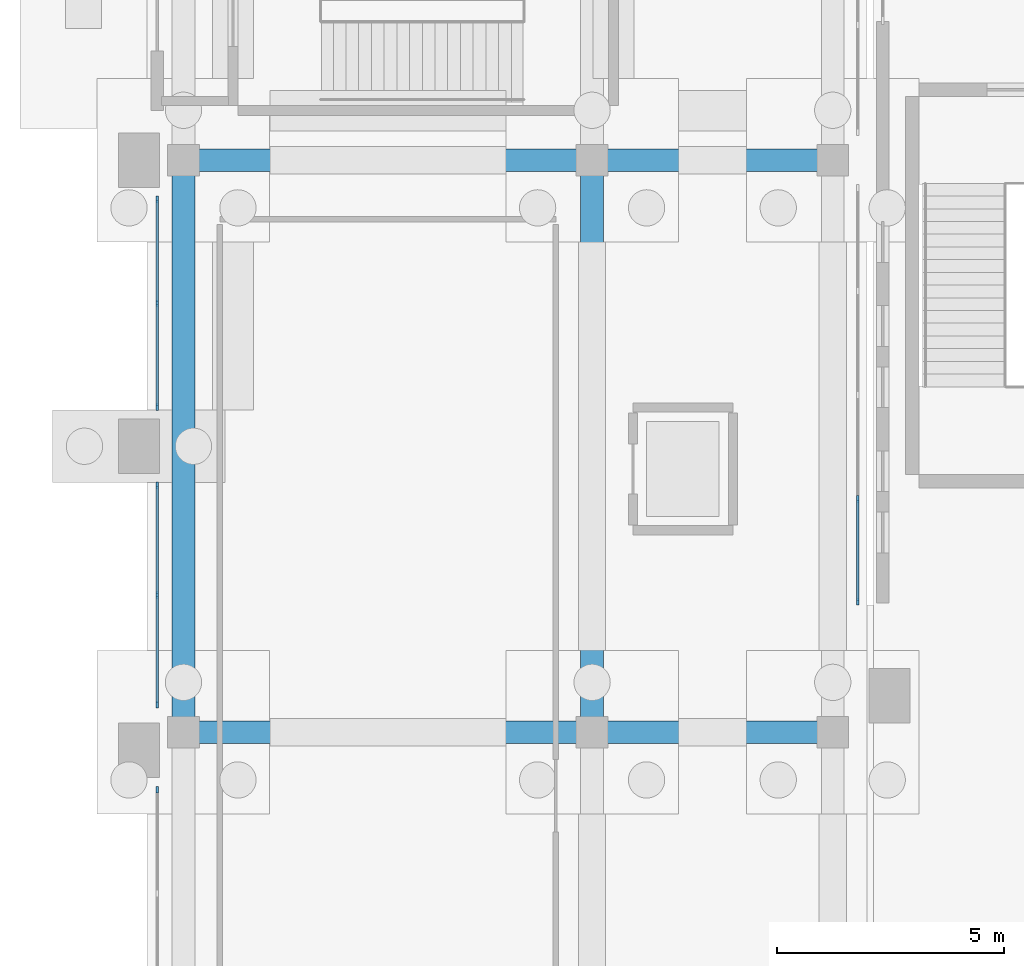
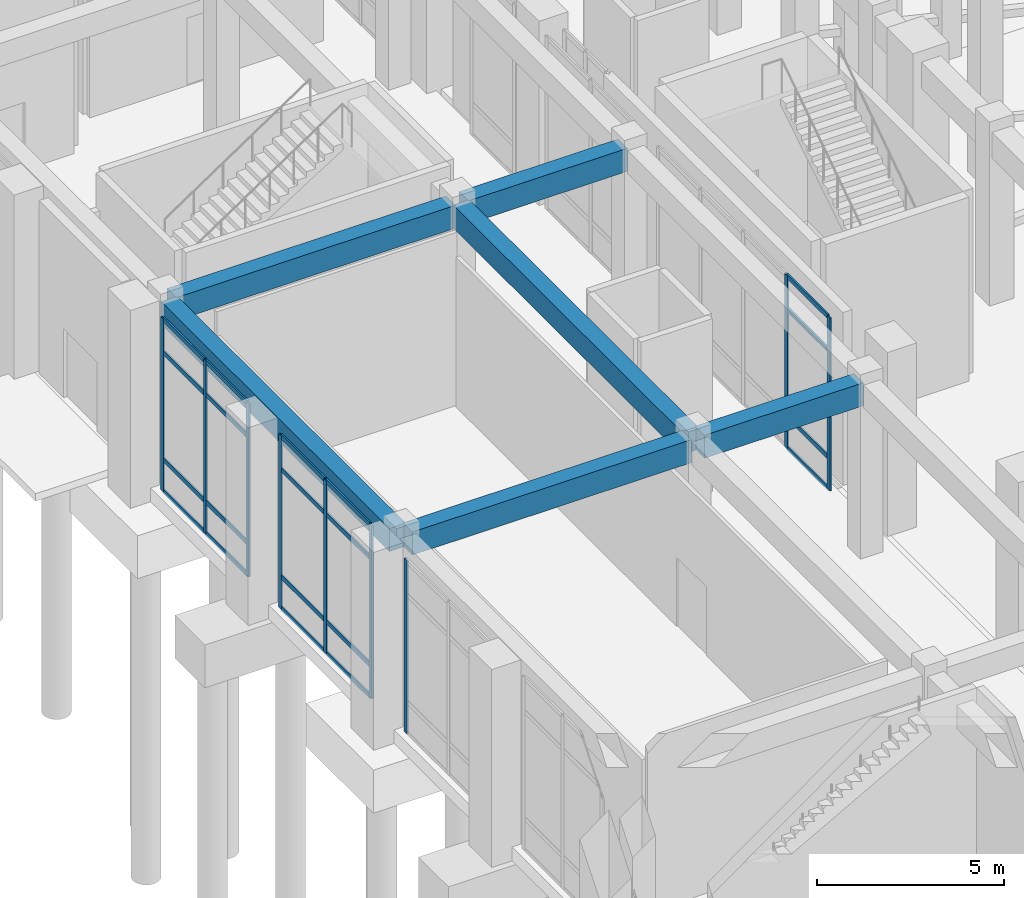
# One storey, part 29 of 143: 29 members, 6 beams, 4 elements without a shape of their own.
"""IFC4 building model written with IfcOpenShell, lengths in metres."""

from ifc_helpers import new_model, si_unit, derived_unit, direction, frame, origin, origin_2d, place, context, subcontext, project, spatial, rectangle, extrude, material, layer, layer_set, material_profile, profile_set, type_object, element, aggregate, save


model = new_model("IFC4")

# Units and contexts
model_context = context("Model", 3, precision=1e-05, world=origin(), true_north=direction((0.0, 1.0)))
body_context = subcontext(model_context, "Body", "Model", "MODEL_VIEW")
ifc_project = project(units=[si_unit("LENGTHUNIT", "METRE"), si_unit("AREAUNIT", "SQUARE_METRE"), si_unit("VOLUMEUNIT", "CUBIC_METRE"), si_unit("PLANEANGLEUNIT", "RADIAN"), si_unit("MASSUNIT", "GRAM", prefix="KILO"), derived_unit("THERMALTRANSMITTANCEUNIT", [(si_unit("MASSUNIT", "GRAM", prefix="KILO"), 1), (si_unit("TIMEUNIT", "SECOND"), -3), (si_unit("THERMODYNAMICTEMPERATUREUNIT", "KELVIN"), -1)])], contexts=[model_context])

# Site, building, storey
site_placement = place(None, origin())
site = spatial("IfcSite", under=ifc_project, at=site_placement, CompositionType="ELEMENT")
building_placement = place(site_placement, origin())
building = spatial("IfcBuilding", under=site, at=building_placement, Name="Valcora Ridge Arena", CompositionType="ELEMENT")
storey_placement = place(building_placement, origin())
storey = spatial("IfcBuildingStorey", under=building, at=storey_placement, Name="L00", CompositionType="ELEMENT", Elevation=0.0)

# Beams
ifc_material_1 = material(Name="Concrete C40/50", Category="concrete")
ifc_material_profile_1 = material_profile(ifc_material_1, rectangle(XDim=0.5, YDim=0.75, at=origin_2d()), Name="RC 500x750")
ifc_profile_set_1 = profile_set([ifc_material_profile_1], Name="Concrete C40/50")
beam_type_1 = type_object("IfcBeamType", Name="TY-BEAM-B-RC500-X", PredefinedType="BEAM", material=ifc_profile_set_1)
beam_1_placement = place(storey_placement, frame((1.0, 45.199951171875, 5.264892578125), z_axis=(1.0, 0.0, 0.0), x_axis=(0.0, 1.0, 0.0)))
element("IfcBeam", 1, at=beam_1_placement, inside=storey, type_object=beam_type_1, Name="B-RC500-X BEM-B-RC500-X-0019", PredefinedType="BEAM", context=body_context, shape_type="SweptSolid", body=[
    extrude(rectangle(XDim=0.5, YDim=0.75, at=origin_2d()), origin(), (0.0, 0.0, 1.0), 8.60009765625),
])
beam_2_placement = place(storey_placement, frame((10.0, 45.199951171875, 5.264892578125), z_axis=(1.0, 0.0, 0.0), x_axis=(0.0, 1.0, 0.0)))
element("IfcBeam", 2, at=beam_2_placement, inside=storey, type_object=beam_type_1, Name="B-RC500-X BEM-B-RC500-X-0020", PredefinedType="BEAM", context=body_context, shape_type="SweptSolid", body=[
    extrude(rectangle(XDim=0.5, YDim=0.75, at=origin_2d()), origin(), (0.0, 0.0, 1.0), 4.89990234375),
])
beam_3_placement = place(storey_placement, frame((1.0, 57.800048828125, 5.264892578125), z_axis=(1.0, 0.0, 0.0), x_axis=(0.0, 1.0, 0.0)))
element("IfcBeam", 3, at=beam_3_placement, inside=storey, type_object=beam_type_1, Name="B-RC500-X BEM-B-RC500-X-0021", PredefinedType="BEAM", context=body_context, shape_type="SweptSolid", body=[
    extrude(rectangle(XDim=0.5, YDim=0.75, at=origin_2d()), origin(), (0.0, 0.0, 1.0), 8.60009765625),
])
beam_4_placement = place(storey_placement, frame((10.0, 57.800048828125, 5.264892578125), z_axis=(1.0, 0.0, 0.0), x_axis=(0.0, 1.0, 0.0)))
element("IfcBeam", 4, at=beam_4_placement, inside=storey, type_object=beam_type_1, Name="B-RC500-X BEM-B-RC500-X-0022", PredefinedType="BEAM", context=body_context, shape_type="SweptSolid", body=[
    extrude(rectangle(XDim=0.5, YDim=0.75, at=origin_2d()), origin(), (0.0, 0.0, 1.0), 4.89990234375),
])
ifc_material_profile_2 = material_profile(ifc_material_1, rectangle(XDim=0.5, YDim=0.75, at=origin_2d()), Name="RC 500x750")
ifc_profile_set_2 = profile_set([ifc_material_profile_2], Name="Concrete C40/50")
beam_type_2 = type_object("IfcBeamType", Name="TY-BEAM-B-RC500-Y", PredefinedType="BEAM", material=ifc_profile_set_2)
for number, where, z_axis, x_axis, name in (
    (5, (0.800048828125, 45.39990234375, 5.264892578125), (0.0, 1.0, 0.0), (-1.0, 0.0, 0.0), "B-RC500-Y BEM-B-RC500-Y-0005"),
    (6, (9.800048828125, 45.39990234375, 5.264892578125), (0.0, 1.0, 0.0), (-1.0, 0.0, 0.0), "B-RC500-Y BEM-B-RC500-Y-0013"),
):
    element("IfcBeam", number, at=place(storey_placement, frame(where, z_axis=z_axis, x_axis=x_axis)), inside=storey, type_object=beam_type_2, Name=name, PredefinedType="BEAM", context=body_context, shape_type="SweptSolid", body=[
        extrude(rectangle(XDim=0.5, YDim=0.75, at=origin_2d()), origin(), (0.0, 0.0, 1.0), 12.2001953125),
    ])

# Curtain wall, member
ifc_material_2 = material(Name="Anodised dark bronze architectural aluminium 6063-T6", Category="aluminium")
ifc_layer_1 = layer(ifc_material_2, 0.14990234375, Name="Anodised dark bronze architectural aluminium 6063-T6")
ifc_layer_set_1 = layer_set([ifc_layer_1], Name="Anodised dark bronze architectural aluminium 6063-T6")
curtain_wall_type_1 = type_object("IfcCurtainWallType", Name="TY-CURTAINWALL-CW-V4-CLUB-046X56", PredefinedType="NOTDEFINED", material=ifc_layer_set_1)
curtain_wall_1_placement = place(storey_placement, origin())
curtain_wall_1 = element("IfcCurtainWall", 7, at=curtain_wall_1_placement, inside=storey, type_object=curtain_wall_type_1, Name="CW-V4-CLUB-046X56 CW-0193", PredefinedType="NOTDEFINED")
ifc_material_profile_3 = material_profile(ifc_material_2, rectangle(XDim=0.050048828125, YDim=0.14990234375, at=origin_2d()), Name="ALU MULLION 50x150")
ifc_profile_set_3 = profile_set([ifc_material_profile_3], Name="Anodised dark bronze architectural aluminium 6063-T6")
member_type_1 = type_object("IfcMemberType", Name="TY-MEM-CWM-50x150", PredefinedType="MULLION", material=ifc_profile_set_3)
member_1_placement = place(storey_placement, frame((0.219970703125, 43.93505859375, 0.0), z_axis=(0.0, 0.0, 1.0), x_axis=(-1.0, 0.0, 0.0)))
member_1 = element("IfcMember", 8, at=member_1_placement, type_object=member_type_1, Name="CW-0193/CWM-50x150/M02", PredefinedType="MULLION", context=body_context, shape_type="SweptSolid", body=[
    extrude(rectangle(XDim=0.050048828125, YDim=0.14990234375, at=origin_2d()), origin(), (0.0, 0.0, 1.0), 5.639892578125),
])
aggregate(curtain_wall_1, [member_1])

# Curtain wall, members
ifc_layer_2 = layer(ifc_material_2, 0.14990234375, Name="Anodised dark bronze architectural aluminium 6063-T6")
ifc_layer_set_2 = layer_set([ifc_layer_2], Name="Anodised dark bronze architectural aluminium 6063-T6")
curtain_wall_type_2 = type_object("IfcCurtainWallType", Name="TY-CURTAINWALL-CW-V4-CLUB-049X56", PredefinedType="NOTDEFINED", material=ifc_layer_set_2)
curtain_wall_2_placement = place(storey_placement, origin())
curtain_wall_2 = element("IfcCurtainWall", 9, at=curtain_wall_2_placement, inside=storey, type_object=curtain_wall_type_2, Name="CW-V4-CLUB-049X56 CW-0194", PredefinedType="NOTDEFINED")
member_2_placement = place(storey_placement, frame((0.219970703125, 45.81494140625, 0.0), z_axis=(0.0, 0.0, 1.0), x_axis=(-1.0, 0.0, 0.0)))
member_2 = element("IfcMember", 10, at=member_2_placement, type_object=member_type_1, Name="CW-0194/CWM-50x150/M00", PredefinedType="MULLION", context=body_context, shape_type="SweptSolid", body=[
    extrude(rectangle(XDim=0.050048828125, YDim=0.14990234375, at=origin_2d()), origin(), (0.0, 0.0, 1.0), 5.639892578125),
])
member_3_placement = place(storey_placement, frame((0.219970703125, 48.22509765625, 0.0), z_axis=(0.0, 0.0, 1.0), x_axis=(-1.0, 0.0, 0.0)))
member_3 = element("IfcMember", 11, at=member_3_placement, type_object=member_type_1, Name="CW-0194/CWM-50x150/M01", PredefinedType="MULLION", context=body_context, shape_type="SweptSolid", body=[
    extrude(rectangle(XDim=0.050048828125, YDim=0.14990234375, at=origin_2d()), origin(), (0.0, 0.0, 1.0), 5.639892578125),
])
member_4_placement = place(storey_placement, frame((0.219970703125, 50.635009765625, 0.0), z_axis=(0.0, 0.0, 1.0), x_axis=(-1.0, 0.0, 0.0)))
member_4 = element("IfcMember", 12, at=member_4_placement, type_object=member_type_1, Name="CW-0194/CWM-50x150/M02", PredefinedType="MULLION", context=body_context, shape_type="SweptSolid", body=[
    extrude(rectangle(XDim=0.050048828125, YDim=0.14990234375, at=origin_2d()), origin(), (0.0, 0.0, 1.0), 5.639892578125),
])

curtain_wall_3_placement = place(storey_placement, origin())
curtain_wall_3 = element("IfcCurtainWall", 13, at=curtain_wall_3_placement, inside=storey, type_object=curtain_wall_type_1, Name="CW-V4-CLUB-046X56 CW-0195", PredefinedType="NOTDEFINED")
member_5_placement = place(storey_placement, frame((0.219970703125, 52.364990234375, 0.0), z_axis=(0.0, 0.0, 1.0), x_axis=(-1.0, 0.0, 0.0)))
member_5 = element("IfcMember", 14, at=member_5_placement, type_object=member_type_1, Name="CW-0195/CWM-50x150/M00", PredefinedType="MULLION", context=body_context, shape_type="SweptSolid", body=[
    extrude(rectangle(XDim=0.050048828125, YDim=0.14990234375, at=origin_2d()), origin(), (0.0, 0.0, 1.0), 5.639892578125),
])
member_6_placement = place(storey_placement, frame((0.219970703125, 54.64990234375, 0.0), z_axis=(0.0, 0.0, 1.0), x_axis=(-1.0, 0.0, 0.0)))
member_6 = element("IfcMember", 15, at=member_6_placement, type_object=member_type_1, Name="CW-0195/CWM-50x150/M01", PredefinedType="MULLION", context=body_context, shape_type="SweptSolid", body=[
    extrude(rectangle(XDim=0.050048828125, YDim=0.14990234375, at=origin_2d()), origin(), (0.0, 0.0, 1.0), 5.639892578125),
])
member_7_placement = place(storey_placement, frame((0.219970703125, 56.93505859375, 0.0), z_axis=(0.0, 0.0, 1.0), x_axis=(-1.0, 0.0, 0.0)))
member_7 = element("IfcMember", 16, at=member_7_placement, type_object=member_type_1, Name="CW-0195/CWM-50x150/M02", PredefinedType="MULLION", context=body_context, shape_type="SweptSolid", body=[
    extrude(rectangle(XDim=0.050048828125, YDim=0.14990234375, at=origin_2d()), origin(), (0.0, 0.0, 1.0), 5.639892578125),
])

ifc_layer_3 = layer(ifc_material_2, 0.14990234375, Name="Anodised dark bronze architectural aluminium 6063-T6")
ifc_layer_set_3 = layer_set([ifc_layer_3], Name="Anodised dark bronze architectural aluminium 6063-T6")
curtain_wall_type_3 = type_object("IfcCurtainWallType", Name="TY-CURTAINWALL-CW-V4-CLUB-092X56", PredefinedType="NOTDEFINED", material=ifc_layer_set_3)
curtain_wall_4_placement = place(storey_placement, origin())
curtain_wall_4 = element("IfcCurtainWall", 17, at=curtain_wall_4_placement, inside=storey, type_object=curtain_wall_type_3, Name="CW-V4-CLUB-092X56 CW-0197", PredefinedType="NOTDEFINED")
member_8_placement = place(storey_placement, frame((15.64990234375, 48.074951171875, 0.0), z_axis=(0.0, 0.0, 1.0), x_axis=(-1.0, 0.0, 0.0)))
member_8 = element("IfcMember", 18, at=member_8_placement, type_object=member_type_1, Name="CW-0197/CWM-50x150/M00", PredefinedType="MULLION", context=body_context, shape_type="SweptSolid", body=[
    extrude(rectangle(XDim=0.050048828125, YDim=0.14990234375, at=origin_2d()), origin(), (0.0, 0.0, 1.0), 5.639892578125),
])
member_9_placement = place(storey_placement, frame((15.64990234375, 50.340087890625, 0.0), z_axis=(0.0, 0.0, 1.0), x_axis=(-1.0, 0.0, 0.0)))
member_9 = element("IfcMember", 19, at=member_9_placement, type_object=member_type_1, Name="CW-0197/CWM-50x150/M01", PredefinedType="MULLION", context=body_context, shape_type="SweptSolid", body=[
    extrude(rectangle(XDim=0.050048828125, YDim=0.14990234375, at=origin_2d()), origin(), (0.0, 0.0, 1.0), 5.639892578125),
])

# Member
ifc_material_profile_4 = material_profile(ifc_material_2, rectangle(XDim=0.050048828125, YDim=0.14990234375, at=origin_2d()), Name="ALU TRANSOM 50x150")
ifc_profile_set_4 = profile_set([ifc_material_profile_4], Name="Anodised dark bronze architectural aluminium 6063-T6")
member_type_2 = type_object("IfcMemberType", Name="TY-MEM-CWT-50x150", PredefinedType="USERDEFINED", material=ifc_profile_set_4)
member_10_placement = place(storey_placement, frame((0.219970703125, 45.840087890625, 0.02490234375), z_axis=(0.0, 1.0, 0.0), x_axis=(-1.0, 0.0, 0.0)))
member_10 = element("IfcMember", 20, at=member_10_placement, type_object=member_type_2, Name="CW-0194/CWT-50x150/T00-00", ObjectType="TRANSOM", PredefinedType="USERDEFINED", context=body_context, shape_type="SweptSolid", body=[
    extrude(rectangle(XDim=0.050048828125, YDim=0.14990234375, at=origin_2d()), origin(), (0.0, 0.0, 1.0), 2.35986328125),
])

member_11_placement = place(storey_placement, frame((0.219970703125, 45.840087890625, 1.050048828125), z_axis=(0.0, 1.0, 0.0), x_axis=(-1.0, 0.0, 0.0)))
member_11 = element("IfcMember", 21, at=member_11_placement, type_object=member_type_2, Name="CW-0194/CWT-50x150/T00-01", ObjectType="TRANSOM", PredefinedType="USERDEFINED", context=body_context, shape_type="SweptSolid", body=[
    extrude(rectangle(XDim=0.050048828125, YDim=0.14990234375, at=origin_2d()), origin(), (0.0, 0.0, 1.0), 2.35986328125),
])

member_12_placement = place(storey_placement, frame((0.219970703125, 45.840087890625, 4.5400390625), z_axis=(0.0, 1.0, 0.0), x_axis=(-1.0, 0.0, 0.0)))
member_12 = element("IfcMember", 22, at=member_12_placement, type_object=member_type_2, Name="CW-0194/CWT-50x150/T00-02", ObjectType="TRANSOM", PredefinedType="USERDEFINED", context=body_context, shape_type="SweptSolid", body=[
    extrude(rectangle(XDim=0.050048828125, YDim=0.14990234375, at=origin_2d()), origin(), (0.0, 0.0, 1.0), 2.35986328125),
])

member_13_placement = place(storey_placement, frame((0.219970703125, 45.840087890625, 5.614990234375), z_axis=(0.0, 1.0, 0.0), x_axis=(-1.0, 0.0, 0.0)))
member_13 = element("IfcMember", 23, at=member_13_placement, type_object=member_type_2, Name="CW-0194/CWT-50x150/T00-03", ObjectType="TRANSOM", PredefinedType="USERDEFINED", context=body_context, shape_type="SweptSolid", body=[
    extrude(rectangle(XDim=0.050048828125, YDim=0.14990234375, at=origin_2d()), origin(), (0.0, 0.0, 1.0), 2.35986328125),
])

member_14_placement = place(storey_placement, frame((0.219970703125, 48.25, 0.02490234375), z_axis=(0.0, 1.0, 0.0), x_axis=(-1.0, 0.0, 0.0)))
member_14 = element("IfcMember", 24, at=member_14_placement, type_object=member_type_2, Name="CW-0194/CWT-50x150/T01-00", ObjectType="TRANSOM", PredefinedType="USERDEFINED", context=body_context, shape_type="SweptSolid", body=[
    extrude(rectangle(XDim=0.050048828125, YDim=0.14990234375, at=origin_2d()), origin(), (0.0, 0.0, 1.0), 2.360107421875),
])

member_15_placement = place(storey_placement, frame((0.219970703125, 48.25, 1.050048828125), z_axis=(0.0, 1.0, 0.0), x_axis=(-1.0, 0.0, 0.0)))
member_15 = element("IfcMember", 25, at=member_15_placement, type_object=member_type_2, Name="CW-0194/CWT-50x150/T01-01", ObjectType="TRANSOM", PredefinedType="USERDEFINED", context=body_context, shape_type="SweptSolid", body=[
    extrude(rectangle(XDim=0.050048828125, YDim=0.14990234375, at=origin_2d()), origin(), (0.0, 0.0, 1.0), 2.360107421875),
])

member_16_placement = place(storey_placement, frame((0.219970703125, 48.25, 4.5400390625), z_axis=(0.0, 1.0, 0.0), x_axis=(-1.0, 0.0, 0.0)))
member_16 = element("IfcMember", 26, at=member_16_placement, type_object=member_type_2, Name="CW-0194/CWT-50x150/T01-02", ObjectType="TRANSOM", PredefinedType="USERDEFINED", context=body_context, shape_type="SweptSolid", body=[
    extrude(rectangle(XDim=0.050048828125, YDim=0.14990234375, at=origin_2d()), origin(), (0.0, 0.0, 1.0), 2.360107421875),
])

member_17_placement = place(storey_placement, frame((0.219970703125, 48.25, 5.614990234375), z_axis=(0.0, 1.0, 0.0), x_axis=(-1.0, 0.0, 0.0)))
member_17 = element("IfcMember", 27, at=member_17_placement, type_object=member_type_2, Name="CW-0194/CWT-50x150/T01-03", ObjectType="TRANSOM", PredefinedType="USERDEFINED", context=body_context, shape_type="SweptSolid", body=[
    extrude(rectangle(XDim=0.050048828125, YDim=0.14990234375, at=origin_2d()), origin(), (0.0, 0.0, 1.0), 2.360107421875),
])

aggregate(curtain_wall_2, [member_2, member_3, member_4, member_10, member_11, member_12, member_13, member_14, member_15, member_16, member_17])

member_18_placement = place(storey_placement, frame((0.219970703125, 52.389892578125, 0.02490234375), z_axis=(0.0, 1.0, 0.0), x_axis=(-1.0, 0.0, 0.0)))
member_18 = element("IfcMember", 28, at=member_18_placement, type_object=member_type_2, Name="CW-0195/CWT-50x150/T00-00", ObjectType="TRANSOM", PredefinedType="USERDEFINED", context=body_context, shape_type="SweptSolid", body=[
    extrude(rectangle(XDim=0.050048828125, YDim=0.14990234375, at=origin_2d()), origin(), (0.0, 0.0, 1.0), 2.235107421875),
])

member_19_placement = place(storey_placement, frame((0.219970703125, 52.389892578125, 1.050048828125), z_axis=(0.0, 1.0, 0.0), x_axis=(-1.0, 0.0, 0.0)))
member_19 = element("IfcMember", 29, at=member_19_placement, type_object=member_type_2, Name="CW-0195/CWT-50x150/T00-01", ObjectType="TRANSOM", PredefinedType="USERDEFINED", context=body_context, shape_type="SweptSolid", body=[
    extrude(rectangle(XDim=0.050048828125, YDim=0.14990234375, at=origin_2d()), origin(), (0.0, 0.0, 1.0), 2.235107421875),
])

member_20_placement = place(storey_placement, frame((0.219970703125, 52.389892578125, 4.5400390625), z_axis=(0.0, 1.0, 0.0), x_axis=(-1.0, 0.0, 0.0)))
member_20 = element("IfcMember", 30, at=member_20_placement, type_object=member_type_2, Name="CW-0195/CWT-50x150/T00-02", ObjectType="TRANSOM", PredefinedType="USERDEFINED", context=body_context, shape_type="SweptSolid", body=[
    extrude(rectangle(XDim=0.050048828125, YDim=0.14990234375, at=origin_2d()), origin(), (0.0, 0.0, 1.0), 2.235107421875),
])

member_21_placement = place(storey_placement, frame((0.219970703125, 52.389892578125, 5.614990234375), z_axis=(0.0, 1.0, 0.0), x_axis=(-1.0, 0.0, 0.0)))
member_21 = element("IfcMember", 31, at=member_21_placement, type_object=member_type_2, Name="CW-0195/CWT-50x150/T00-03", ObjectType="TRANSOM", PredefinedType="USERDEFINED", context=body_context, shape_type="SweptSolid", body=[
    extrude(rectangle(XDim=0.050048828125, YDim=0.14990234375, at=origin_2d()), origin(), (0.0, 0.0, 1.0), 2.235107421875),
])

member_22_placement = place(storey_placement, frame((0.219970703125, 54.675048828125, 0.02490234375), z_axis=(0.0, 1.0, 0.0), x_axis=(-1.0, 0.0, 0.0)))
member_22 = element("IfcMember", 32, at=member_22_placement, type_object=member_type_2, Name="CW-0195/CWT-50x150/T01-00", ObjectType="TRANSOM", PredefinedType="USERDEFINED", context=body_context, shape_type="SweptSolid", body=[
    extrude(rectangle(XDim=0.050048828125, YDim=0.14990234375, at=origin_2d()), origin(), (0.0, 0.0, 1.0), 2.23486328125),
])

member_23_placement = place(storey_placement, frame((0.219970703125, 54.675048828125, 1.050048828125), z_axis=(0.0, 1.0, 0.0), x_axis=(-1.0, 0.0, 0.0)))
member_23 = element("IfcMember", 33, at=member_23_placement, type_object=member_type_2, Name="CW-0195/CWT-50x150/T01-01", ObjectType="TRANSOM", PredefinedType="USERDEFINED", context=body_context, shape_type="SweptSolid", body=[
    extrude(rectangle(XDim=0.050048828125, YDim=0.14990234375, at=origin_2d()), origin(), (0.0, 0.0, 1.0), 2.23486328125),
])

member_24_placement = place(storey_placement, frame((0.219970703125, 54.675048828125, 4.5400390625), z_axis=(0.0, 1.0, 0.0), x_axis=(-1.0, 0.0, 0.0)))
member_24 = element("IfcMember", 34, at=member_24_placement, type_object=member_type_2, Name="CW-0195/CWT-50x150/T01-02", ObjectType="TRANSOM", PredefinedType="USERDEFINED", context=body_context, shape_type="SweptSolid", body=[
    extrude(rectangle(XDim=0.050048828125, YDim=0.14990234375, at=origin_2d()), origin(), (0.0, 0.0, 1.0), 2.23486328125),
])

member_25_placement = place(storey_placement, frame((0.219970703125, 54.675048828125, 5.614990234375), z_axis=(0.0, 1.0, 0.0), x_axis=(-1.0, 0.0, 0.0)))
member_25 = element("IfcMember", 35, at=member_25_placement, type_object=member_type_2, Name="CW-0195/CWT-50x150/T01-03", ObjectType="TRANSOM", PredefinedType="USERDEFINED", context=body_context, shape_type="SweptSolid", body=[
    extrude(rectangle(XDim=0.050048828125, YDim=0.14990234375, at=origin_2d()), origin(), (0.0, 0.0, 1.0), 2.23486328125),
])

aggregate(curtain_wall_3, [member_5, member_6, member_7, member_18, member_19, member_20, member_21, member_22, member_23, member_24, member_25])

member_26_placement = place(storey_placement, frame((15.64990234375, 48.10009765625, 0.02490234375), z_axis=(0.0, 1.0, 0.0), x_axis=(-1.0, 0.0, 0.0)))
member_26 = element("IfcMember", 36, at=member_26_placement, type_object=member_type_2, Name="CW-0197/CWT-50x150/T00-00", ObjectType="TRANSOM", PredefinedType="USERDEFINED", context=body_context, shape_type="SweptSolid", body=[
    extrude(rectangle(XDim=0.050048828125, YDim=0.14990234375, at=origin_2d()), origin(), (0.0, 0.0, 1.0), 2.21484375),
])

member_27_placement = place(storey_placement, frame((15.64990234375, 48.10009765625, 1.050048828125), z_axis=(0.0, 1.0, 0.0), x_axis=(-1.0, 0.0, 0.0)))
member_27 = element("IfcMember", 37, at=member_27_placement, type_object=member_type_2, Name="CW-0197/CWT-50x150/T00-01", ObjectType="TRANSOM", PredefinedType="USERDEFINED", context=body_context, shape_type="SweptSolid", body=[
    extrude(rectangle(XDim=0.050048828125, YDim=0.14990234375, at=origin_2d()), origin(), (0.0, 0.0, 1.0), 2.21484375),
])

member_28_placement = place(storey_placement, frame((15.64990234375, 48.10009765625, 4.5400390625), z_axis=(0.0, 1.0, 0.0), x_axis=(-1.0, 0.0, 0.0)))
member_28 = element("IfcMember", 38, at=member_28_placement, type_object=member_type_2, Name="CW-0197/CWT-50x150/T00-02", ObjectType="TRANSOM", PredefinedType="USERDEFINED", context=body_context, shape_type="SweptSolid", body=[
    extrude(rectangle(XDim=0.050048828125, YDim=0.14990234375, at=origin_2d()), origin(), (0.0, 0.0, 1.0), 2.21484375),
])

member_29_placement = place(storey_placement, frame((15.64990234375, 48.10009765625, 5.614990234375), z_axis=(0.0, 1.0, 0.0), x_axis=(-1.0, 0.0, 0.0)))
member_29 = element("IfcMember", 39, at=member_29_placement, type_object=member_type_2, Name="CW-0197/CWT-50x150/T00-03", ObjectType="TRANSOM", PredefinedType="USERDEFINED", context=body_context, shape_type="SweptSolid", body=[
    extrude(rectangle(XDim=0.050048828125, YDim=0.14990234375, at=origin_2d()), origin(), (0.0, 0.0, 1.0), 2.21484375),
])

aggregate(curtain_wall_4, [member_8, member_9, member_26, member_27, member_28, member_29])

save(model, "model.ifc")
